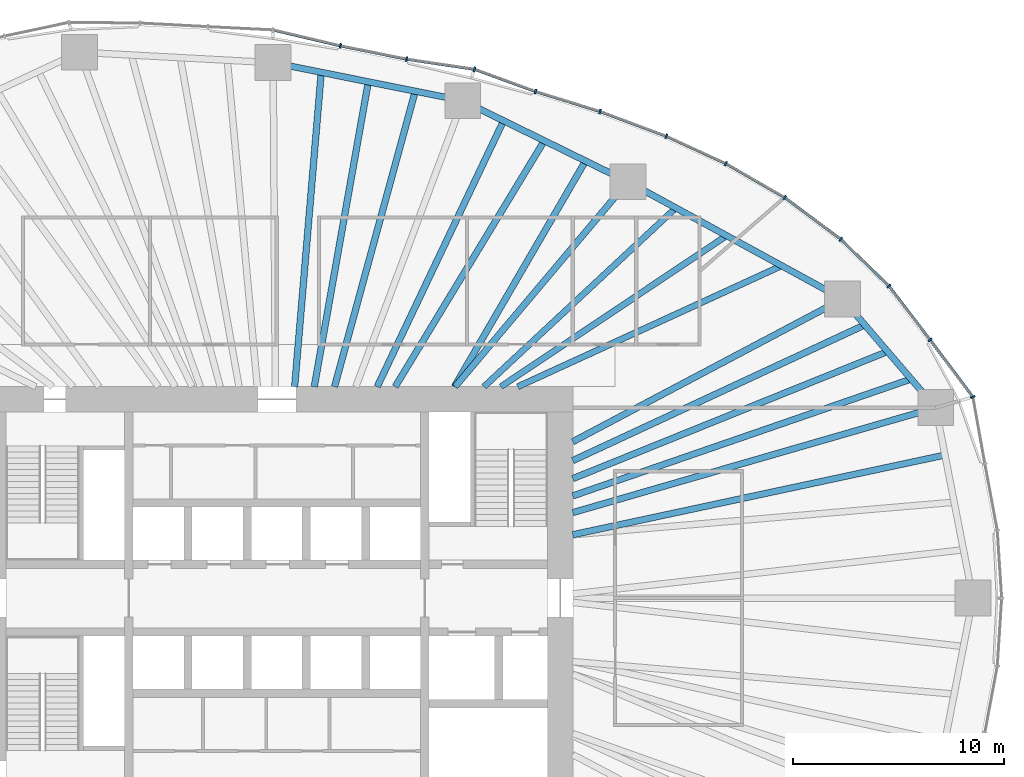
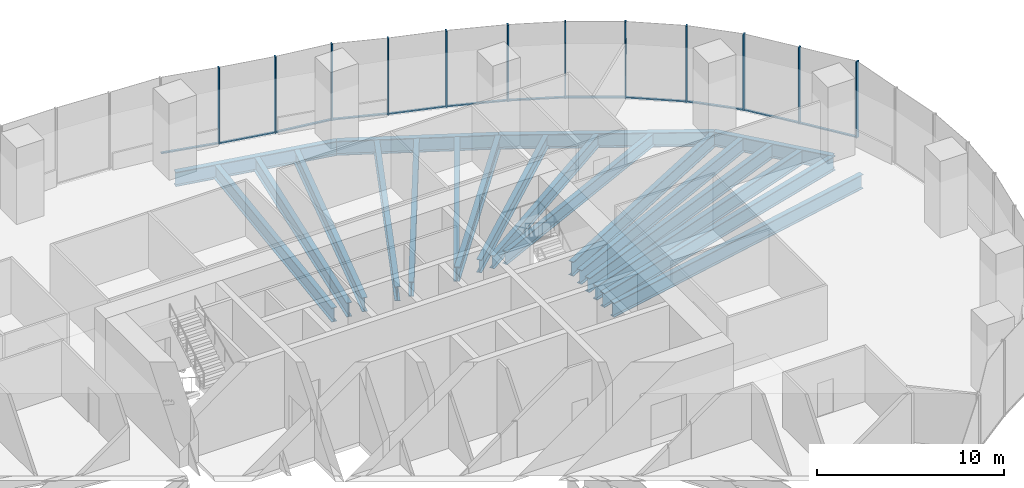
# One storey, part 6 of 19: 24 members, 20 beams, 4 elements without a shape of their own.
"""IFC4 building model written with IfcOpenShell, lengths in metres."""

from ifc_helpers import new_model, si_unit, direction, frame, origin, origin_2d, place, context, subcontext, project, spatial, rectangle, i_section, extrude, material, material_profile, profile_set, type_object, element, aggregate, save


model = new_model("IFC4")

# Units and contexts
model_context = context("Model", 3, precision=1e-05, world=origin(), true_north=direction((0.0, 1.0)))
body_context = subcontext(model_context, "Body", "Model", "MODEL_VIEW")
ifc_project = project(units=[si_unit("LENGTHUNIT", "METRE"), si_unit("AREAUNIT", "SQUARE_METRE"), si_unit("VOLUMEUNIT", "CUBIC_METRE"), si_unit("PLANEANGLEUNIT", "RADIAN"), si_unit("MASSUNIT", "GRAM", prefix="KILO")], contexts=[model_context])

# Site, building, storey
site_placement = place(None, origin())
site = spatial("IfcSite", under=ifc_project, at=site_placement, CompositionType="ELEMENT")
building_placement = place(site_placement, origin())
building = spatial("IfcBuilding", under=site, at=building_placement, Name="Ghaith Harvest Tower", CompositionType="ELEMENT")
storey_placement = place(building_placement, frame((0.0, 0.0, 75.0)))
storey = spatial("IfcBuildingStorey", under=building, at=storey_placement, Name="L15", CompositionType="ELEMENT", Elevation=75.0)

# Curtain wall, members
ifc_material_1 = material(Name="Black anodised aluminium and fritted glass", Category="aluminium")
curtain_wall_type = type_object("IfcCurtainWallType", Name="CW-F CURTAIN WALL", PredefinedType="NOTDEFINED", material=ifc_material_1)
curtain_wall_1_placement = place(storey_placement, origin())
curtain_wall_1 = element("IfcCurtainWall", 1, at=curtain_wall_1_placement, inside=storey, type_object=curtain_wall_type, Name="Curtain wall CW-F bay 02 L15", PredefinedType="NOTDEFINED")
ifc_material_2 = material(Name="Aluminium, black anodised", Category="aluminium")
ifc_material_profile_1 = material_profile(ifc_material_2, rectangle(XDim=0.080078125, YDim=0.219970703125, at=origin_2d()), Name="CW-F MULLION 80x220")
ifc_profile_set_1 = profile_set([ifc_material_profile_1], Name="Aluminium, black anodised")
member_type_1 = type_object("IfcMemberType", Name="CW-F MULLION 80x220", PredefinedType="MULLION", material=ifc_profile_set_1)
member_1_placement = place(storey_placement, frame((32.923583984375, 9.515625, 0.0), z_axis=(0.0, 0.0, 1.0), x_axis=(-0.404701693729, 0.914448762421, 0.0)))
member_1 = element("IfcMember", 2, at=member_1_placement, type_object=member_type_1, Name="CW-F mullion 1 bay 02 L15", PredefinedType="MULLION", context=body_context, shape_type="SweptSolid", body=[
    extrude(rectangle(XDim=0.080078125, YDim=0.219970703125, at=origin_2d()), origin(), (0.0, 0.0, 1.0), 5.0),
])
member_2_placement = place(storey_placement, frame((30.896728515625, 12.215087890625, 0.0), z_axis=(0.0, 0.0, 1.0), x_axis=(-0.603948315345, 0.797023482961, 0.0)))
member_2 = element("IfcMember", 3, at=member_2_placement, type_object=member_type_1, Name="CW-F mullion 2 bay 02 L15", PredefinedType="MULLION", context=body_context, shape_type="SweptSolid", body=[
    extrude(rectangle(XDim=0.080078125, YDim=0.219970703125, at=origin_2d()), origin(), (0.0, 0.0, 1.0), 5.0),
])
member_3_placement = place(storey_placement, frame((28.947021484375, 14.763427734375, 0.0), z_axis=(0.0, 0.0, 1.0), x_axis=(-0.663604797296, 0.748083332929, 0.0)))
member_3 = element("IfcMember", 4, at=member_3_placement, type_object=member_type_1, Name="CW-F mullion 3 bay 02 L15", PredefinedType="MULLION", context=body_context, shape_type="SweptSolid", body=[
    extrude(rectangle(XDim=0.080078125, YDim=0.219970703125, at=origin_2d()), origin(), (0.0, 0.0, 1.0), 5.0),
])

curtain_wall_2_placement = place(storey_placement, origin())
curtain_wall_2 = element("IfcCurtainWall", 5, at=curtain_wall_2_placement, inside=storey, type_object=curtain_wall_type, Name="Curtain wall CW-F bay 03 L15", PredefinedType="NOTDEFINED")
member_4_placement = place(storey_placement, frame((26.673828125, 16.9755859375, 0.0), z_axis=(0.0, 0.0, 1.0), x_axis=(-0.762365981091, 0.647146127915, 0.0)))
member_4 = element("IfcMember", 6, at=member_4_placement, type_object=member_type_1, Name="CW-F mullion 1 bay 03 L15", PredefinedType="MULLION", context=body_context, shape_type="SweptSolid", body=[
    extrude(rectangle(XDim=0.080078125, YDim=0.219970703125, at=origin_2d()), origin(), (0.0, 0.0, 1.0), 5.0),
])
member_5_placement = place(storey_placement, frame((24.018310546875, 18.947265625, 0.0), z_axis=(0.0, 0.0, 1.0), x_axis=(-0.835443516723, 0.549576318963, 0.0)))
member_5 = element("IfcMember", 7, at=member_5_placement, type_object=member_type_1, Name="CW-F mullion 2 bay 03 L15", PredefinedType="MULLION", context=body_context, shape_type="SweptSolid", body=[
    extrude(rectangle(XDim=0.080078125, YDim=0.219970703125, at=origin_2d()), origin(), (0.0, 0.0, 1.0), 5.0),
])
member_6_placement = place(storey_placement, frame((21.2353515625, 20.552978515625, 0.0), z_axis=(0.0, 0.0, 1.0), x_axis=(-0.887896671642, 0.460042933308, 0.0)))
member_6 = element("IfcMember", 8, at=member_6_placement, type_object=member_type_1, Name="CW-F mullion 3 bay 03 L15", PredefinedType="MULLION", context=body_context, shape_type="SweptSolid", body=[
    extrude(rectangle(XDim=0.080078125, YDim=0.219970703125, at=origin_2d()), origin(), (0.0, 0.0, 1.0), 5.0),
])

curtain_wall_3_placement = place(storey_placement, origin())
curtain_wall_3 = element("IfcCurtainWall", 9, at=curtain_wall_3_placement, inside=storey, type_object=curtain_wall_type, Name="Curtain wall CW-F bay 04 L15", PredefinedType="NOTDEFINED")
member_7_placement = place(storey_placement, frame((18.422607421875, 21.8466796875, 0.0), z_axis=(0.0, 0.0, 1.0), x_axis=(-0.923910199252, 0.382609387912, 0.0)))
member_7 = element("IfcMember", 10, at=member_7_placement, type_object=member_type_1, Name="CW-F mullion 1 bay 04 L15", PredefinedType="MULLION", context=body_context, shape_type="SweptSolid", body=[
    extrude(rectangle(XDim=0.080078125, YDim=0.219970703125, at=origin_2d()), origin(), (0.0, 0.0, 1.0), 5.0),
])
member_8_placement = place(storey_placement, frame((15.28759765625, 23.01611328125, 0.0), z_axis=(0.0, 0.0, 1.0), x_axis=(-0.946121020954, 0.323813238933, 0.0)))
member_8 = element("IfcMember", 11, at=member_8_placement, type_object=member_type_1, Name="CW-F mullion 2 bay 04 L15", PredefinedType="MULLION", context=body_context, shape_type="SweptSolid", body=[
    extrude(rectangle(XDim=0.080078125, YDim=0.219970703125, at=origin_2d()), origin(), (0.0, 0.0, 1.0), 5.0),
])
member_9_placement = place(storey_placement, frame((12.234375, 23.964599609375, 0.0), z_axis=(0.0, 0.0, 1.0), x_axis=(-0.947653438436, 0.319300736957, 0.0)))
member_9 = element("IfcMember", 12, at=member_9_placement, type_object=member_type_1, Name="CW-F mullion 3 bay 04 L15", PredefinedType="MULLION", context=body_context, shape_type="SweptSolid", body=[
    extrude(rectangle(XDim=0.080078125, YDim=0.219970703125, at=origin_2d()), origin(), (0.0, 0.0, 1.0), 5.0),
])

curtain_wall_4_placement = place(storey_placement, origin())
curtain_wall_4 = element("IfcCurtainWall", 13, at=curtain_wall_4_placement, inside=storey, type_object=curtain_wall_type, Name="Curtain wall CW-F bay 05 L15", PredefinedType="NOTDEFINED")
member_10_placement = place(storey_placement, frame((9.351806640625, 25.01611328125, 0.0), z_axis=(0.0, 0.0, 1.0), x_axis=(-0.969903429236, 0.243489913461, 0.0)))
member_10 = element("IfcMember", 14, at=member_10_placement, type_object=member_type_1, Name="CW-F mullion 1 bay 05 L15", PredefinedType="MULLION", context=body_context, shape_type="SweptSolid", body=[
    extrude(rectangle(XDim=0.080078125, YDim=0.219970703125, at=origin_2d()), origin(), (0.0, 0.0, 1.0), 5.0),
])
member_11_placement = place(storey_placement, frame((6.136962890625, 25.495361328125, 0.0), z_axis=(0.0, 0.0, 1.0), x_axis=(-0.985103843977, 0.171960508788, 0.0)))
member_11 = element("IfcMember", 15, at=member_11_placement, type_object=member_type_1, Name="CW-F mullion 2 bay 05 L15", PredefinedType="MULLION", context=body_context, shape_type="SweptSolid", body=[
    extrude(rectangle(XDim=0.080078125, YDim=0.219970703125, at=origin_2d()), origin(), (0.0, 0.0, 1.0), 5.0),
])
member_12_placement = place(storey_placement, frame((3.00927734375, 26.123291015625, 0.0), z_axis=(0.0, 0.0, 1.0), x_axis=(-0.976927332869, 0.213571969822, 0.0)))
member_12 = element("IfcMember", 16, at=member_12_placement, type_object=member_type_1, Name="CW-F mullion 3 bay 05 L15", PredefinedType="MULLION", context=body_context, shape_type="SweptSolid", body=[
    extrude(rectangle(XDim=0.080078125, YDim=0.219970703125, at=origin_2d()), origin(), (0.0, 0.0, 1.0), 5.0),
])

# Member
ifc_material_3 = material(Name="Aluminium, black anodised", Category="aluminium")
ifc_material_profile_2 = material_profile(ifc_material_3, rectangle(XDim=0.139892578125, YDim=0.080078125, at=origin_2d()), Name="CW-F TRANSOM 140x80")
ifc_profile_set_2 = profile_set([ifc_material_profile_2], Name="Aluminium, black anodised")
member_type_2 = type_object("IfcMemberType", Name="CW-F TRANSOM 140x80", PredefinedType="USERDEFINED", material=ifc_profile_set_2)
member_13_placement = place(storey_placement, frame((32.899658203125, 9.547607421875, 0.0400390625), z_axis=(-0.600462135687, 0.799653189581, 0.0), x_axis=(-0.799653189581, -0.600462135687, 0.0)))
member_13 = element("IfcMember", 17, at=member_13_placement, type_object=member_type_2, Name="CW-F transom 1 bay 02 L15", ObjectType="TRANSOM", PredefinedType="USERDEFINED", context=body_context, shape_type="SweptSolid", body=[
    extrude(rectangle(XDim=0.139892578125, YDim=0.080078125, at=origin_2d()), origin(), (0.0, 0.0, 1.0), 3.2958984375),
])

member_14_placement = place(storey_placement, frame((30.87255859375, 12.246826171875, 0.0400390625), z_axis=(-0.607638356471, 0.794213842579, 0.0), x_axis=(-0.794213842579, -0.607638356471, 0.0)))
member_14 = element("IfcMember", 18, at=member_14_placement, type_object=member_type_2, Name="CW-F transom 2 bay 02 L15", ObjectType="TRANSOM", PredefinedType="USERDEFINED", context=body_context, shape_type="SweptSolid", body=[
    extrude(rectangle(XDim=0.139892578125, YDim=0.080078125, at=origin_2d()), origin(), (0.0, 0.0, 1.0), 3.128662109375),
])

member_15_placement = place(storey_placement, frame((28.91845703125, 14.791259765625, 0.0400390625), z_axis=(-0.71671313139, 0.697368114623, 0.0), x_axis=(-0.697368114623, -0.71671313139, 0.0)))
member_15 = element("IfcMember", 19, at=member_15_placement, type_object=member_type_2, Name="CW-F transom 3 bay 02 L15", ObjectType="TRANSOM", PredefinedType="USERDEFINED", context=body_context, shape_type="SweptSolid", body=[
    extrude(rectangle(XDim=0.139892578125, YDim=0.080078125, at=origin_2d()), origin(), (0.0, 0.0, 1.0), 3.092041015625),
])

aggregate(curtain_wall_1, [member_1, member_13, member_2, member_14, member_3, member_15])

member_16_placement = place(storey_placement, frame((26.641845703125, 16.999267578125, 0.0400390625), z_axis=(-0.802877287823, 0.596144328748, 0.0), x_axis=(-0.596144328748, -0.802877287823, 0.0)))
member_16 = element("IfcMember", 20, at=member_16_placement, type_object=member_type_2, Name="CW-F transom 1 bay 03 L15", ObjectType="TRANSOM", PredefinedType="USERDEFINED", context=body_context, shape_type="SweptSolid", body=[
    extrude(rectangle(XDim=0.139892578125, YDim=0.080078125, at=origin_2d()), origin(), (0.0, 0.0, 1.0), 3.2275390625),
])

member_17_placement = place(storey_placement, frame((23.983642578125, 18.96728515625, 0.0400390625), z_axis=(-0.866168719914, 0.499751686983, 0.0), x_axis=(-0.499751686983, -0.866168719914, 0.0)))
member_17 = element("IfcMember", 21, at=member_17_placement, type_object=member_type_2, Name="CW-F transom 2 bay 03 L15", ObjectType="TRANSOM", PredefinedType="USERDEFINED", context=body_context, shape_type="SweptSolid", body=[
    extrude(rectangle(XDim=0.139892578125, YDim=0.080078125, at=origin_2d()), origin(), (0.0, 0.0, 1.0), 3.1328125),
])

member_18_placement = place(storey_placement, frame((21.19921875, 20.56982421875, 0.0400390625), z_axis=(-0.908553137239, 0.417769310521, 0.0), x_axis=(-0.417769310521, -0.908553137239, 0.0)))
member_18 = element("IfcMember", 22, at=member_18_placement, type_object=member_type_2, Name="CW-F transom 3 bay 03 L15", ObjectType="TRANSOM", PredefinedType="USERDEFINED", context=body_context, shape_type="SweptSolid", body=[
    extrude(rectangle(XDim=0.139892578125, YDim=0.080078125, at=origin_2d()), origin(), (0.0, 0.0, 1.0), 3.01611328125),
])

aggregate(curtain_wall_2, [member_4, member_16, member_5, member_17, member_6, member_18])

member_19_placement = place(storey_placement, frame((18.385009765625, 21.860595703125, 0.0400390625), z_axis=(-0.936923785579, 0.349533717996, 0.0), x_axis=(-0.349533717996, -0.936923785579, 0.0)))
member_19 = element("IfcMember", 23, at=member_19_placement, type_object=member_type_2, Name="CW-F transom 1 bay 04 L15", ObjectType="TRANSOM", PredefinedType="USERDEFINED", context=body_context, shape_type="SweptSolid", body=[
    extrude(rectangle(XDim=0.139892578125, YDim=0.080078125, at=origin_2d()), origin(), (0.0, 0.0, 1.0), 3.26611328125),
])

member_20_placement = place(storey_placement, frame((15.249267578125, 23.028076171875, 0.0400390625), z_axis=(-0.954998362353, 0.296611071781, 0.0), x_axis=(-0.296611071781, -0.954998362353, 0.0)))
member_20 = element("IfcMember", 24, at=member_20_placement, type_object=member_type_2, Name="CW-F transom 2 bay 04 L15", ObjectType="TRANSOM", PredefinedType="USERDEFINED", context=body_context, shape_type="SweptSolid", body=[
    extrude(rectangle(XDim=0.139892578125, YDim=0.080078125, at=origin_2d()), origin(), (0.0, 0.0, 1.0), 3.1171875),
])

member_21_placement = place(storey_placement, frame((12.19677734375, 23.978271484375, 0.0400390625), z_axis=(-0.939437502081, 0.342720264478, 0.0), x_axis=(-0.342720264478, -0.939437502081, 0.0)))
member_21 = element("IfcMember", 25, at=member_21_placement, type_object=member_type_2, Name="CW-F transom 3 bay 04 L15", ObjectType="TRANSOM", PredefinedType="USERDEFINED", context=body_context, shape_type="SweptSolid", body=[
    extrude(rectangle(XDim=0.139892578125, YDim=0.080078125, at=origin_2d()), origin(), (0.0, 0.0, 1.0), 2.98828125),
])

aggregate(curtain_wall_3, [member_7, member_19, member_8, member_20, member_9, member_21])

member_22_placement = place(storey_placement, frame((9.312255859375, 25.02197265625, 0.0400390625), z_axis=(-0.989078238205, 0.147391447207, 0.0), x_axis=(-0.147391447207, -0.989078238205, 0.0)))
member_22 = element("IfcMember", 26, at=member_22_placement, type_object=member_type_2, Name="CW-F transom 1 bay 05 L15", ObjectType="TRANSOM", PredefinedType="USERDEFINED", context=body_context, shape_type="SweptSolid", body=[
    extrude(rectangle(XDim=0.139892578125, YDim=0.080078125, at=origin_2d()), origin(), (0.0, 0.0, 1.0), 3.17041015625),
])

member_23_placement = place(storey_placement, frame((6.097900390625, 25.503173828125, 0.0400390625), z_axis=(-0.980432471193, 0.196855707129, 0.0), x_axis=(-0.196855707129, -0.980432471193, 0.0)))
member_23 = element("IfcMember", 27, at=member_23_placement, type_object=member_type_2, Name="CW-F transom 2 bay 05 L15", ObjectType="TRANSOM", PredefinedType="USERDEFINED", context=body_context, shape_type="SweptSolid", body=[
    extrude(rectangle(XDim=0.139892578125, YDim=0.080078125, at=origin_2d()), origin(), (0.0, 0.0, 1.0), 3.1103515625),
])

member_24_placement = place(storey_placement, frame((2.97021484375, 26.132568359375, 0.0400390625), z_axis=(-0.973252867589, 0.229736491942, 0.0), x_axis=(-0.229736491942, -0.973252867589, 0.0)))
member_24 = element("IfcMember", 28, at=member_24_placement, type_object=member_type_2, Name="CW-F transom 3 bay 05 L15", ObjectType="TRANSOM", PredefinedType="USERDEFINED", context=body_context, shape_type="SweptSolid", body=[
    extrude(rectangle(XDim=0.139892578125, YDim=0.080078125, at=origin_2d()), origin(), (0.0, 0.0, 1.0), 3.200927734375),
])

aggregate(curtain_wall_4, [member_10, member_22, member_11, member_23, member_12, member_24])

# Beams
ifc_material_4 = material(Name="Steel ASTM A992 Grade 50", Category="steel")
ifc_material_profile_3 = material_profile(ifc_material_4, i_section(OverallWidth=0.306884765625, OverallDepth=0.94189453125, WebThickness=0.022216796875, FlangeThickness=0.039794921875, at=origin_2d()), Name="W920X345")
ifc_profile_set_3 = profile_set([ifc_material_profile_3], Name="Steel ASTM A992 Grade 50")
beam_type_1 = type_object("IfcBeamType", Name="E920-345 W920X345", PredefinedType="SPANDREL", material=ifc_profile_set_3)
beam_1_placement = place(storey_placement, frame((31.166015625, 9.008056640625, -0.6708984375), z_axis=(-0.65056255283, 0.759452674533, 0.0), x_axis=(-0.759452674533, -0.65056255283, 0.0)))
element("IfcBeam", 29, at=beam_1_placement, inside=storey, type_object=beam_type_1, Name="Edge beam E02 L15", PredefinedType="SPANDREL", context=body_context, shape_type="SweptSolid", body=[
    extrude(i_section(OverallWidth=0.306884765625, OverallDepth=0.94189453125, WebThickness=0.022216796875, FlangeThickness=0.039794921875, at=origin_2d()), origin(), (0.0, 0.0, 1.0), 6.7666015625),
])
beam_2_placement = place(storey_placement, frame((26.763916015625, 14.14697265625, -0.6708984375), z_axis=(-0.877588218279, 0.479415184509, 0.0), x_axis=(-0.479415184509, -0.877588218279, 0.0)))
element("IfcBeam", 30, at=beam_2_placement, inside=storey, type_object=beam_type_1, Name="Edge beam E03 L15", PredefinedType="SPANDREL", context=body_context, shape_type="SweptSolid", body=[
    extrude(i_section(OverallWidth=0.306884765625, OverallDepth=0.94189453125, WebThickness=0.022216796875, FlangeThickness=0.039794921875, at=origin_2d()), origin(), (0.0, 0.0, 1.0), 11.57275390625),
])
beam_3_placement = place(storey_placement, frame((16.60791015625, 19.695068359375, -0.6708984375), z_axis=(-0.897823733825, 0.440355019252, 0.0), x_axis=(-0.440355019252, -0.897823733825, 0.0)))
element("IfcBeam", 31, at=beam_3_placement, inside=storey, type_object=beam_type_1, Name="Edge beam E04 L15", PredefinedType="SPANDREL", context=body_context, shape_type="SweptSolid", body=[
    extrude(i_section(OverallWidth=0.306884765625, OverallDepth=0.94189453125, WebThickness=0.022216796875, FlangeThickness=0.039794921875, at=origin_2d()), origin(), (0.0, 0.0, 1.0), 8.7021484375),
])
beam_4_placement = place(storey_placement, frame((8.794921875, 23.527099609375, -0.6708984375), z_axis=(-0.980450082464, 0.196767974517, 0.0), x_axis=(-0.196767974517, -0.980450082464, 0.0)))
element("IfcBeam", 32, at=beam_4_placement, inside=storey, type_object=beam_type_1, Name="Edge beam E05 L15", PredefinedType="SPANDREL", context=body_context, shape_type="SweptSolid", body=[
    extrude(i_section(OverallWidth=0.306884765625, OverallDepth=0.94189453125, WebThickness=0.022216796875, FlangeThickness=0.039794921875, at=origin_2d()), origin(), (0.0, 0.0, 1.0), 9.146728515625),
])
ifc_material_5 = material(Name="Steel ASTM A992 Grade 50", Category="steel")
ifc_material_profile_4 = material_profile(ifc_material_5, i_section(OverallWidth=0.306884765625, OverallDepth=0.94189453125, WebThickness=0.022216796875, FlangeThickness=0.039794921875, at=origin_2d()), Name="W920X345")
ifc_profile_set_4 = profile_set([ifc_material_profile_4], Name="Steel ASTM A992 Grade 50")
beam_type_2 = type_object("IfcBeamType", Name="G920-345 W920X345", PredefinedType="BEAM", material=ifc_profile_set_4)
beam_5_placement = place(storey_placement, frame((14.0, 4.04638671875, -0.6708984375), z_axis=(0.960675395102, 0.277673882903, 0.0), x_axis=(-0.277673882903, 0.960675395102, 0.0)))
element("IfcBeam", 33, at=beam_5_placement, inside=storey, type_object=beam_type_2, Name="Radial girder G02 L15", PredefinedType="BEAM", context=body_context, shape_type="SweptSolid", body=[
    extrude(i_section(OverallWidth=0.306884765625, OverallDepth=0.94189453125, WebThickness=0.022216796875, FlangeThickness=0.039794921875, at=origin_2d()), origin(), (0.0, 0.0, 1.0), 17.86865234375),
])
beam_6_placement = place(storey_placement, frame((14.0, 7.39990234375, -0.6708984375), z_axis=(0.884082663971, 0.467330550324, 0.0), x_axis=(-0.467330550324, 0.884082663971, 0.0)))
element("IfcBeam", 34, at=beam_6_placement, inside=storey, type_object=beam_type_2, Name="Radial girder G03 L15", PredefinedType="BEAM", context=body_context, shape_type="SweptSolid", body=[
    extrude(i_section(OverallWidth=0.306884765625, OverallDepth=0.94189453125, WebThickness=0.022216796875, FlangeThickness=0.039794921875, at=origin_2d()), origin(), (0.0, 0.0, 1.0), 14.4375),
])
beam_7_placement = place(storey_placement, frame((8.4326171875, 10.0, -0.6708984375), z_axis=(0.644644245772, 0.764482698557, 0.0), x_axis=(-0.764482698557, 0.644644245772, 0.0)))
element("IfcBeam", 35, at=beam_7_placement, inside=storey, type_object=beam_type_2, Name="Radial girder G04 L15", PredefinedType="BEAM", context=body_context, shape_type="SweptSolid", body=[
    extrude(i_section(OverallWidth=0.306884765625, OverallDepth=0.94189453125, WebThickness=0.022216796875, FlangeThickness=0.039794921875, at=origin_2d()), origin(), (0.0, 0.0, 1.0), 12.681884765625),
])
ifc_material_6 = material(Name="Steel ASTM A992 Grade 50", Category="steel")
ifc_material_profile_5 = material_profile(ifc_material_6, i_section(OverallWidth=0.2939453125, OverallDepth=0.85107421875, WebThickness=0.01611328125, FlangeThickness=0.02685546875, at=origin_2d()), Name="W840X226")
ifc_profile_set_5 = profile_set([ifc_material_profile_5], Name="Steel ASTM A992 Grade 50")
beam_type_3 = type_object("IfcBeamType", Name="J840-226 W840X226", PredefinedType="JOIST", material=ifc_profile_set_5)
beam_8_placement = place(storey_placement, frame((11.39990234375, 10.0, -0.62548828125), z_axis=(0.909014022454, 0.416765529983, 0.0), x_axis=(-0.416765529983, 0.909014022454, 0.0)))
element("IfcBeam", 36, at=beam_8_placement, inside=storey, type_object=beam_type_3, Name="Joist J03.1 L15", PredefinedType="JOIST", context=body_context, shape_type="SweptSolid", body=[
    extrude(i_section(OverallWidth=0.2939453125, OverallDepth=0.85107421875, WebThickness=0.01611328125, FlangeThickness=0.02685546875, at=origin_2d()), origin(), (0.0, 0.0, 1.0), 13.72998046875),
])
beam_9_placement = place(storey_placement, frame((10.60009765625, 10.0, -0.62548828125), z_axis=(0.831116486766, 0.556098359489, 0.0), x_axis=(-0.556098359489, 0.831116486766, 0.0)))
element("IfcBeam", 37, at=beam_9_placement, inside=storey, type_object=beam_type_3, Name="Joist J03.2 L15", PredefinedType="JOIST", context=body_context, shape_type="SweptSolid", body=[
    extrude(i_section(OverallWidth=0.2939453125, OverallDepth=0.85107421875, WebThickness=0.01611328125, FlangeThickness=0.02685546875, at=origin_2d()), origin(), (0.0, 0.0, 1.0), 12.84716796875),
])
beam_10_placement = place(storey_placement, frame((9.800048828125, 10.0, -0.62548828125), z_axis=(0.731538123562, 0.681800538116, 0.0), x_axis=(-0.681800538116, 0.731538123562, 0.0)))
element("IfcBeam", 38, at=beam_10_placement, inside=storey, type_object=beam_type_3, Name="Joist J03.3 L15", PredefinedType="JOIST", context=body_context, shape_type="SweptSolid", body=[
    extrude(i_section(OverallWidth=0.2939453125, OverallDepth=0.85107421875, WebThickness=0.01611328125, FlangeThickness=0.02685546875, at=origin_2d()), origin(), (0.0, 0.0, 1.0), 12.404052734375),
])
ifc_material_7 = material(Name="Steel ASTM A992 Grade 50", Category="steel")
ifc_material_profile_6 = material_profile(ifc_material_7, i_section(OverallWidth=0.31005859375, OverallDepth=0.927001953125, WebThickness=0.019287109375, FlangeThickness=0.031982421875, at=origin_2d()), Name="W920X289")
ifc_profile_set_6 = profile_set([ifc_material_profile_6], Name="Steel ASTM A992 Grade 50")
beam_type_4 = type_object("IfcBeamType", Name="J920-289 W920X289", PredefinedType="JOIST", material=ifc_profile_set_6)
beam_11_placement = place(storey_placement, frame((14.0, 6.506103515625, -0.66357421875), z_axis=(0.906862619792, 0.421426374144, 0.0), x_axis=(-0.421426374144, 0.906862619792, 0.0)))
element("IfcBeam", 39, at=beam_11_placement, inside=storey, type_object=beam_type_4, Name="Joist J02.3 L15", PredefinedType="JOIST", context=body_context, shape_type="SweptSolid", body=[
    extrude(i_section(OverallWidth=0.31005859375, OverallDepth=0.927001953125, WebThickness=0.019287109375, FlangeThickness=0.031982421875, at=origin_2d()), origin(), (0.0, 0.0, 1.0), 15.229736328125),
])
beam_12_placement = place(storey_placement, frame((8.39990234375, 10.0, -0.66357421875), z_axis=(0.50228574324, 0.864701701246, 0.0), x_axis=(-0.864701701246, 0.50228574324, 0.0)))
element("IfcBeam", 40, at=beam_12_placement, inside=storey, type_object=beam_type_4, Name="Joist J04.1 L15", PredefinedType="JOIST", context=body_context, shape_type="SweptSolid", body=[
    extrude(i_section(OverallWidth=0.31005859375, OverallDepth=0.927001953125, WebThickness=0.019287109375, FlangeThickness=0.031982421875, at=origin_2d()), origin(), (0.0, 0.0, 1.0), 12.349365234375),
])
beam_13_placement = place(storey_placement, frame((5.60009765625, 10.0, -0.66357421875), z_axis=(0.518319612023, 0.85518698528, 0.0), x_axis=(-0.85518698528, 0.518319612023, 0.0)))
element("IfcBeam", 41, at=beam_13_placement, inside=storey, type_object=beam_type_4, Name="Joist J04.2 L15", PredefinedType="JOIST", context=body_context, shape_type="SweptSolid", body=[
    extrude(i_section(OverallWidth=0.31005859375, OverallDepth=0.927001953125, WebThickness=0.019287109375, FlangeThickness=0.031982421875, at=origin_2d()), origin(), (0.0, 0.0, 1.0), 13.60546875),
])
beam_14_placement = place(storey_placement, frame((4.75, 10.0, -0.66357421875), z_axis=(0.429059675117, 0.903276145588, 0.0), x_axis=(-0.903276145588, 0.429059675117, 0.0)))
element("IfcBeam", 42, at=beam_14_placement, inside=storey, type_object=beam_type_4, Name="Joist J04.3 L15", PredefinedType="JOIST", context=body_context, shape_type="SweptSolid", body=[
    extrude(i_section(OverallWidth=0.31005859375, OverallDepth=0.927001953125, WebThickness=0.019287109375, FlangeThickness=0.031982421875, at=origin_2d()), origin(), (0.0, 0.0, 1.0), 13.92724609375),
])
beam_15_placement = place(storey_placement, frame((2.73095703125, 10.0, -0.66357421875), z_axis=(0.263455282447, 0.964671609487, 0.0), x_axis=(-0.964671609487, 0.263455282447, 0.0)))
element("IfcBeam", 43, at=beam_15_placement, inside=storey, type_object=beam_type_4, Name="Joist J05.1 L15", PredefinedType="JOIST", context=body_context, shape_type="SweptSolid", body=[
    extrude(i_section(OverallWidth=0.31005859375, OverallDepth=0.927001953125, WebThickness=0.019287109375, FlangeThickness=0.031982421875, at=origin_2d()), origin(), (0.0, 0.0, 1.0), 14.48974609375),
])
beam_16_placement = place(storey_placement, frame((1.772705078125, 10.0, -0.66357421875), z_axis=(0.174552574354, 0.984647855218, 0.0), x_axis=(-0.984647855218, 0.174552574354, 0.0)))
element("IfcBeam", 44, at=beam_16_placement, inside=storey, type_object=beam_type_4, Name="Joist J05.2 L15", PredefinedType="JOIST", context=body_context, shape_type="SweptSolid", body=[
    extrude(i_section(OverallWidth=0.31005859375, OverallDepth=0.927001953125, WebThickness=0.019287109375, FlangeThickness=0.031982421875, at=origin_2d()), origin(), (0.0, 0.0, 1.0), 14.648193359375),
])
beam_17_placement = place(storey_placement, frame((0.844970703125, 10.0, -0.66357421875), z_axis=(0.084219252187, 0.996447247756, 0.0), x_axis=(-0.996447247756, 0.084219252187, 0.0)))
element("IfcBeam", 45, at=beam_17_placement, inside=storey, type_object=beam_type_4, Name="Joist J05.3 L15", PredefinedType="JOIST", context=body_context, shape_type="SweptSolid", body=[
    extrude(i_section(OverallWidth=0.31005859375, OverallDepth=0.927001953125, WebThickness=0.019287109375, FlangeThickness=0.031982421875, at=origin_2d()), origin(), (0.0, 0.0, 1.0), 14.92333984375),
])
ifc_material_8 = material(Name="Steel ASTM A992 Grade 50", Category="steel")
ifc_material_profile_7 = material_profile(ifc_material_8, i_section(OverallWidth=0.306884765625, OverallDepth=0.94189453125, WebThickness=0.022216796875, FlangeThickness=0.039794921875, at=origin_2d()), Name="W920X345")
ifc_profile_set_7 = profile_set([ifc_material_profile_7], Name="Steel ASTM A992 Grade 50")
beam_type_5 = type_object("IfcBeamType", Name="J920-345 W920X345", PredefinedType="JOIST", material=ifc_profile_set_7)
beam_18_placement = place(storey_placement, frame((14.0, 3.0, -0.6708984375), z_axis=(0.977831380626, 0.209393865869, 0.0), x_axis=(-0.209393865869, 0.977831380626, 0.0)))
element("IfcBeam", 46, at=beam_18_placement, inside=storey, type_object=beam_type_5, Name="Joist J01.3 L15", PredefinedType="JOIST", context=body_context, shape_type="SweptSolid", body=[
    extrude(i_section(OverallWidth=0.306884765625, OverallDepth=0.94189453125, WebThickness=0.022216796875, FlangeThickness=0.039794921875, at=origin_2d()), origin(), (0.0, 0.0, 1.0), 18.002197265625),
])
beam_19_placement = place(storey_placement, frame((14.0, 4.835693359375, -0.6708984375), z_axis=(0.945204767809, 0.326478095607, 0.0), x_axis=(-0.326478095607, 0.945204767809, 0.0)))
element("IfcBeam", 47, at=beam_19_placement, inside=storey, type_object=beam_type_5, Name="Joist J02.1 L15", PredefinedType="JOIST", context=body_context, shape_type="SweptSolid", body=[
    extrude(i_section(OverallWidth=0.306884765625, OverallDepth=0.94189453125, WebThickness=0.022216796875, FlangeThickness=0.039794921875, at=origin_2d()), origin(), (0.0, 0.0, 1.0), 16.932373046875),
])
beam_20_placement = place(storey_placement, frame((14.0, 5.653564453125, -0.6708984375), z_axis=(0.927252192145, 0.374437407536, 0.0), x_axis=(-0.374437407536, 0.927252192145, 0.0)))
element("IfcBeam", 48, at=beam_20_placement, inside=storey, type_object=beam_type_5, Name="Joist J02.2 L15", PredefinedType="JOIST", context=body_context, shape_type="SweptSolid", body=[
    extrude(i_section(OverallWidth=0.306884765625, OverallDepth=0.94189453125, WebThickness=0.022216796875, FlangeThickness=0.039794921875, at=origin_2d()), origin(), (0.0, 0.0, 1.0), 16.057373046875),
])

save(model, "model.ifc")
